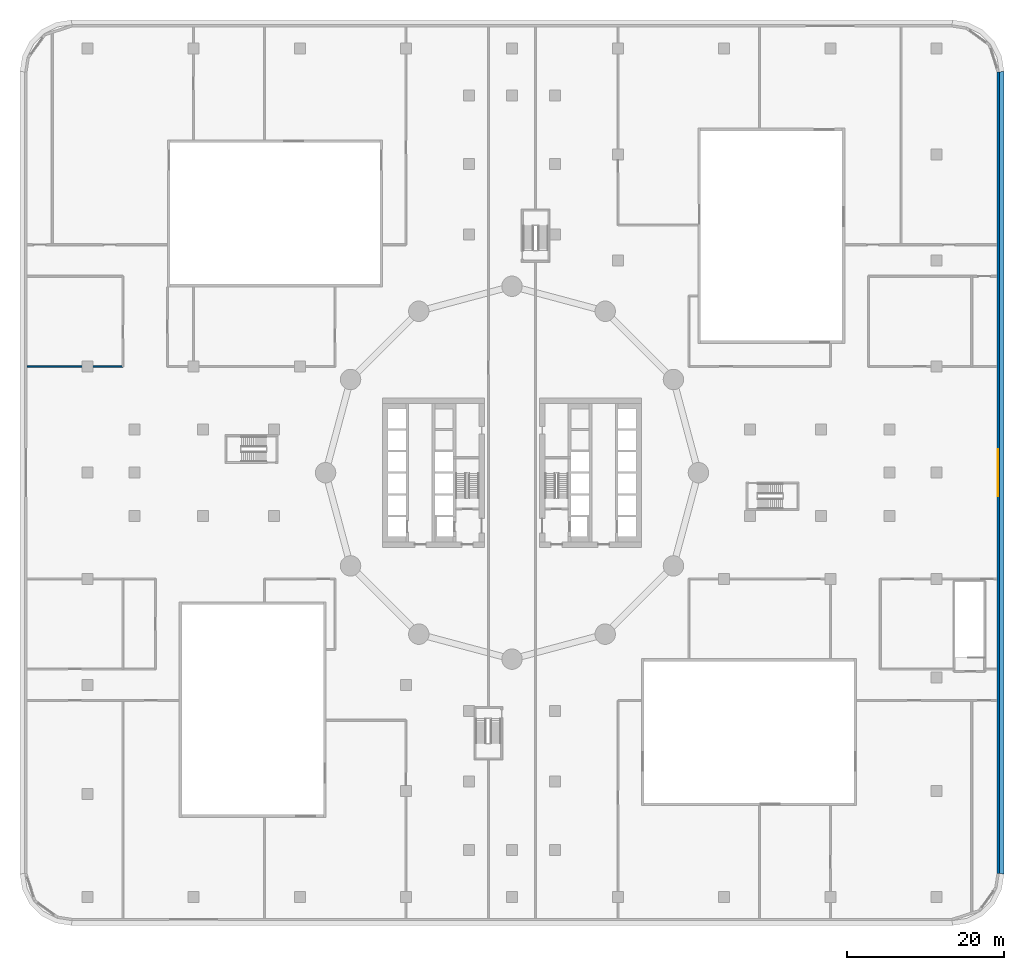
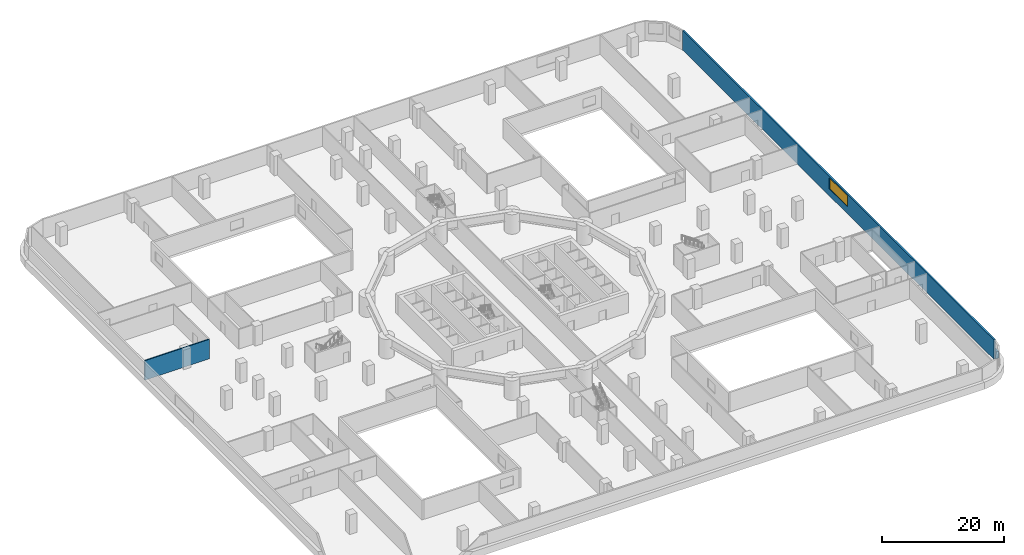
# One storey, part 8 of 16: 2 walls, 1 member, 1 window, 1 opening.
"""IFC4 building model written with IfcOpenShell, lengths in metres."""

from ifc_helpers import new_model, si_unit, direction, frame, frame_2d, origin, place, context, subcontext, project, spatial, polyline, rectangle, outline, extrude, material, layer, layer_set, type_object, element, fill, aggregate, save


model = new_model("IFC4")

# Units and contexts
model_context = context("Model", 3, precision=1e-05, world=origin(), true_north=direction((0.0, 1.0)))
body_context = subcontext(model_context, "Body", "Model", "MODEL_VIEW")
ifc_project = project(units=[si_unit("LENGTHUNIT", "METRE"), si_unit("AREAUNIT", "SQUARE_METRE"), si_unit("VOLUMEUNIT", "CUBIC_METRE"), si_unit("PLANEANGLEUNIT", "RADIAN"), si_unit("MASSUNIT", "GRAM", prefix="KILO")], contexts=[model_context])

# Member
ifc_material_1 = material(Name="Aluminium and insulated spandrel panel", Category="aluminium")
member_type = type_object("IfcMemberType", Name="Floor-edge blade transom", PredefinedType="USERDEFINED", material=ifc_material_1)
site_placement = place(None, origin())
building_placement = place(site_placement, origin())
storey_placement = place(building_placement, frame((0.0, 0.0, 25.0)))
member_placement = place(storey_placement, origin())
member = element("IfcMember", 1, at=member_placement, type_object=member_type, Name="CWT-L04-00", ObjectType="TRANSOM", PredefinedType="USERDEFINED", context=body_context, shape_type="SweptSolid", body=[
    extrude(outline(polyline([(62.0, -51.0), (62.0, 51.0), (62.60009765625, 51.047119140625), (62.60009765625, -51.047119140625), (62.0, -51.0)])), origin(), (0.0, 0.0, 1.0), 1.39990234375),
])

# Site, building, storey
site = spatial("IfcSite", under=ifc_project, at=site_placement, CompositionType="ELEMENT")
building = spatial("IfcBuilding", under=site, at=building_placement, Name="Tamarind Cross Interchange Tower", CompositionType="ELEMENT")
storey = spatial("IfcBuildingStorey", under=building, at=storey_placement, Name="L04", CompositionType="ELEMENT", Elevation=25.0)

# Wall
ifc_material_2 = material(Name="Masonry partition, fire-rated", Category="masonry")
ifc_layer_1 = layer(ifc_material_2, 0.199951171875)
ifc_layer_set_1 = layer_set([ifc_layer_1], Name="Masonry partition, fire-rated")
wall_type_1 = type_object("IfcWallType", Name="Fire partition 200 EI 120", PredefinedType="PARTITIONING", material=ifc_layer_set_1)
wall_1_placement = place(storey_placement, frame((-61.698974609375, 13.5, 0.0), z_axis=(0.0, 0.0, 1.0), x_axis=(1.0, 0.0, 0.0)))
element("IfcWall", 2, at=wall_1_placement, inside=storey, type_object=wall_type_1, Name="L04 partition 10", PredefinedType="PARTITIONING", context=body_context, shape_type="SweptSolid", body=[
    extrude(rectangle(XDim=12.198974609375, YDim=0.199951171875, at=frame_2d((6.099609375, 0.0))), origin(), (0.0, 0.0, 1.0), 3.89990234375),
])

# Wall, opening, window
ifc_material_3 = material(Name="Precast concrete C40", Category="concrete")
ifc_layer_2 = layer(ifc_material_3, 0.300048828125)
ifc_layer_set_2 = layer_set([ifc_layer_2], Name="Precast concrete C40")
wall_type_2 = type_object("IfcWallType", Name="Plant louvre wall", PredefinedType="SOLIDWALL", material=ifc_layer_set_2)
wall_2_placement = place(storey_placement, frame((61.85009765625, -50.98828125, 0.0), z_axis=(0.0, 0.0, 1.0), x_axis=(0.0, 1.0, 0.0)))
wall_2 = element("IfcWall", 3, at=wall_2_placement, inside=storey, type_object=wall_type_2, Name="EXW-L04-00-00", PredefinedType="SOLIDWALL", context=body_context, shape_type="SweptSolid", body=[
    extrude(rectangle(XDim=101.9765625, YDim=0.300048828125, at=frame_2d((50.98828125, 0.0))), origin(), (0.0, 0.0, 1.0), 3.89990234375),
])
opening_placement = place(wall_2_placement, frame((47.98828125, 0.0, 1.39990234375)))
opening = element("IfcOpeningElement", 4, at=opening_placement, cuts=wall_2, Name="Opening W2", PredefinedType="OPENING", context=body_context, shape_type="SweptSolid", body=[
    extrude(rectangle(XDim=6.0, YDim=2.199951171875, at=frame_2d((3.0, 1.10009765625))), frame((0.0, 0.159912109375, 0.0), z_axis=(0.0, -1.0, 0.0), x_axis=(1.0, 0.0, 0.0)), (0.0, 0.0, 1.0), 0.320068359375),
])
ifc_material_4 = material(Name="Aluminium louvre", Category="aluminium")
window_type = type_object("IfcWindowType", Name="Plant louvre bank", PartitioningType="SINGLE_PANEL", PredefinedType="WINDOW", material=ifc_material_4)
window_placement = place(opening_placement, origin())
window = element("IfcWindow", 5, at=window_placement, inside=storey, type_object=window_type, Name="WIN-L04-00-00", OverallHeight=2.199951171875, OverallWidth=6.0, PartitioningType="SINGLE_PANEL", PredefinedType="WINDOW", context=body_context, shape_type="SweptSolid", body=[
    extrude(rectangle(XDim=6.0, YDim=2.199951171875, at=frame_2d((3.0, 1.10009765625))), frame((0.0, 0.030029296875, 0.0), z_axis=(0.0, -1.0, 0.0), x_axis=(1.0, 0.0, 0.0)), (0.0, 0.0, 1.0), 0.06005859375),
])
fill(opening, window)

aggregate(wall_2, [member])

save(model, "model.ifc")
